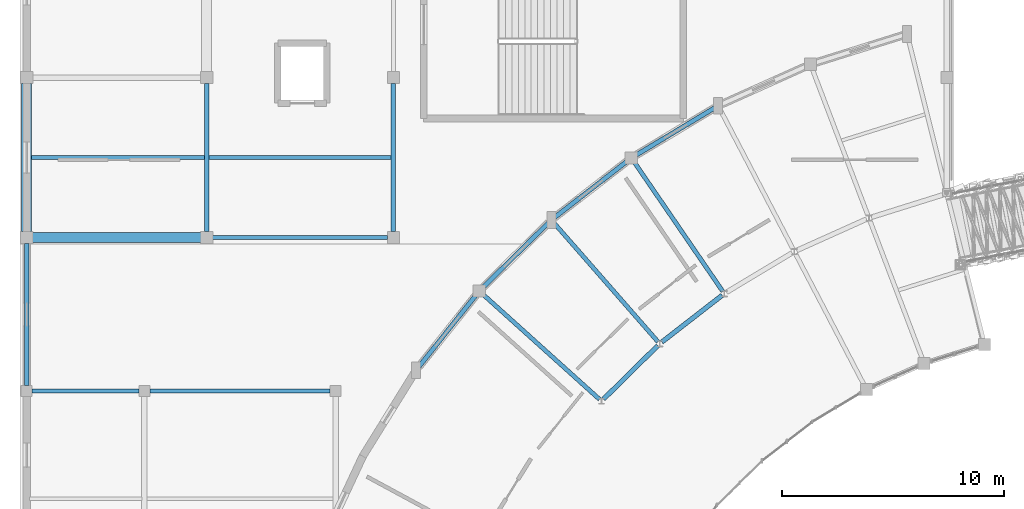
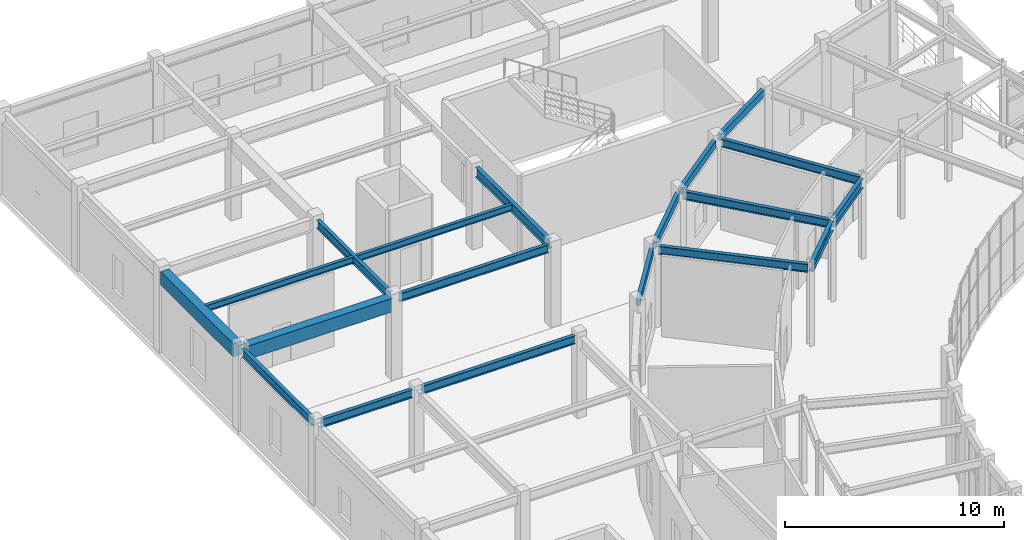
# One storey, part 45 of 144: 19 beams.
"""IFC4 building model written with IfcOpenShell, lengths in metres."""

from ifc_helpers import new_model, si_unit, direction, frame, origin, origin_2d, place, context, subcontext, project, spatial, rectangle, hollow_rectangle, i_section, extrude, material, material_profile, profile_set, type_object, element, save


model = new_model("IFC4")

# Units and contexts
model_context = context("Model", 3, precision=1e-05, world=origin(), true_north=direction((0.0, 1.0)))
body_context = subcontext(model_context, "Body", "Model", "MODEL_VIEW")
ifc_project = project(units=[si_unit("LENGTHUNIT", "METRE"), si_unit("AREAUNIT", "SQUARE_METRE"), si_unit("VOLUMEUNIT", "CUBIC_METRE"), si_unit("PLANEANGLEUNIT", "RADIAN"), si_unit("MASSUNIT", "GRAM", prefix="KILO")], contexts=[model_context])

# Site, building, storey
site_placement = place(None, origin())
site = spatial("IfcSite", under=ifc_project, at=site_placement, CompositionType="ELEMENT")
building_placement = place(site_placement, origin())
building = spatial("IfcBuilding", under=site, at=building_placement, Name="Cinderbank Siding Concert Hall", CompositionType="ELEMENT")
storey_placement = place(building_placement, frame((0.0, 0.0, 5.39990234375)))
storey = spatial("IfcBuildingStorey", under=building, at=storey_placement, Name="L02", CompositionType="ELEMENT", Elevation=5.39990234375)

# Beams
ifc_material_1 = material(Name="Reinforced concrete AS 3600 N50 (50 MPa)", Category="concrete")
ifc_material_profile_1 = material_profile(ifc_material_1, rectangle(XDim=0.449951171875, YDim=0.75, at=origin_2d()), Name="RC-BM-450x750", Category="LoadBearing")
ifc_profile_set_1 = profile_set([ifc_material_profile_1], Name="Reinforced concrete AS 3600 N50 (50 MPa)")
beam_type_1 = type_object("IfcBeamType", Name="BM-RC750 RC-BM-450x750", PredefinedType="BEAM", material=ifc_profile_set_1)
beam_1_placement = place(storey_placement, frame((7.366943359375, 96.10009765625, 4.177001953125), z_axis=(1.0, 0.0, 0.0), x_axis=(0.0, 1.0, 0.0)))
element("IfcBeam", 1, at=beam_1_placement, inside=storey, type_object=beam_type_1, Name="L02 Beam BM-RC750 #1569", PredefinedType="BEAM", context=body_context, shape_type="SweptSolid", body=[
    extrude(rectangle(XDim=0.449951171875, YDim=0.75, at=origin_2d()), origin(), (0.0, 0.0, 1.0), 7.566162109375),
])
beam_2_placement = place(storey_placement, frame((7.10009765625, 96.366943359375, 4.177001953125), z_axis=(0.0, 1.0, 0.0), x_axis=(-1.0, 0.0, 0.0)))
element("IfcBeam", 2, at=beam_2_placement, inside=storey, type_object=beam_type_1, Name="L02 Beam BM-RC750 #1570", PredefinedType="BEAM", context=body_context, shape_type="SweptSolid", body=[
    extrude(rectangle(XDim=0.449951171875, YDim=0.75, at=origin_2d()), origin(), (0.0, 0.0, 1.0), 6.666015625),
])
ifc_material_2 = material(Name="Structural steel AS/NZS 3679.1 Grade 350 (340 MPa)", Category="steel")
ifc_material_profile_2 = material_profile(ifc_material_2, i_section(OverallWidth=0.18994140625, OverallDepth=0.45751953125, WebThickness=0.009033203125, FlangeThickness=0.014404296875, at=origin_2d()), Name="460UB74.6", Category="LoadBearing")
ifc_profile_set_2 = profile_set([ifc_material_profile_2], Name="Structural steel AS/NZS 3679.1 Grade 350 (340 MPa)")
beam_type_2 = type_object("IfcBeamType", Name="BM-UB460 460UB74.6", PredefinedType="BEAM", material=ifc_profile_set_2)
beam_3_placement = place(storey_placement, frame((38.418212890625, 93.677490234375, 4.29345703125), z_axis=(-0.564964678177, 0.825115090404, 0.0), x_axis=(-0.825115090404, -0.564964678177, 0.0)))
element("IfcBeam", 3, at=beam_3_placement, inside=storey, type_object=beam_type_2, Name="L02 Beam BM-UB460 #954", PredefinedType="BEAM", context=body_context, shape_type="SweptSolid", body=[
    extrude(i_section(OverallWidth=0.18994140625, OverallDepth=0.45751953125, WebThickness=0.009033203125, FlangeThickness=0.014404296875, at=origin_2d()), origin(), (0.0, 0.0, 1.0), 7.01318359375),
])
beam_4_placement = place(storey_placement, frame((35.501708984375, 91.415283203125, 4.29345703125), z_axis=(-0.658709419327, 0.752397435462, 0.0), x_axis=(-0.752397435462, -0.658709419327, 0.0)))
element("IfcBeam", 4, at=beam_4_placement, inside=storey, type_object=beam_type_2, Name="L02 Beam BM-UB460 #957", PredefinedType="BEAM", context=body_context, shape_type="SweptSolid", body=[
    extrude(i_section(OverallWidth=0.18994140625, OverallDepth=0.45751953125, WebThickness=0.009033203125, FlangeThickness=0.014404296875, at=origin_2d()), origin(), (0.0, 0.0, 1.0), 7.088134765625),
])
beam_5_placement = place(storey_placement, frame((32.873291015625, 88.8232421875, 4.29345703125), z_axis=(-0.74314352947, 0.669132045718, 0.0), x_axis=(-0.669132045718, -0.74314352947, 0.0)))
element("IfcBeam", 5, at=beam_5_placement, inside=storey, type_object=beam_type_2, Name="L02 Beam BM-UB460 #960", PredefinedType="BEAM", context=body_context, shape_type="SweptSolid", body=[
    extrude(i_section(OverallWidth=0.18994140625, OverallDepth=0.45751953125, WebThickness=0.009033203125, FlangeThickness=0.014404296875, at=origin_2d()), origin(), (0.0, 0.0, 1.0), 7.012939453125),
])
beam_6_placement = place(storey_placement, frame((15.467041015625, 96.10009765625, 4.323486328125), z_axis=(1.0, 0.0, 0.0), x_axis=(0.0, 1.0, 0.0)))
element("IfcBeam", 6, at=beam_6_placement, inside=storey, type_object=beam_type_2, Name="L02 Beam BM-UB460 #1576", PredefinedType="BEAM", context=body_context, shape_type="SweptSolid", body=[
    extrude(i_section(OverallWidth=0.18994140625, OverallDepth=0.45751953125, WebThickness=0.009033203125, FlangeThickness=0.014404296875, at=origin_2d()), origin(), (0.0, 0.0, 1.0), 7.865966796875),
])
beam_7_placement = place(storey_placement, frame((15.199951171875, 96.366943359375, 4.323486328125), z_axis=(0.0, 1.0, 0.0), x_axis=(-1.0, 0.0, 0.0)))
element("IfcBeam", 7, at=beam_7_placement, inside=storey, type_object=beam_type_2, Name="L02 Beam BM-UB460 #1577", PredefinedType="BEAM", context=body_context, shape_type="SweptSolid", body=[
    extrude(i_section(OverallWidth=0.18994140625, OverallDepth=0.45751953125, WebThickness=0.009033203125, FlangeThickness=0.014404296875, at=origin_2d()), origin(), (0.0, 0.0, 1.0), 6.666015625),
])
beam_8_placement = place(storey_placement, frame((7.342041015625, 89.199951171875, 4.323486328125), z_axis=(1.0, 0.0, 0.0), x_axis=(0.0, 1.0, 0.0)))
element("IfcBeam", 8, at=beam_8_placement, inside=storey, type_object=beam_type_2, Name="L02 Beam BM-UB460 #1641", PredefinedType="BEAM", context=body_context, shape_type="SweptSolid", body=[
    extrude(i_section(OverallWidth=0.18994140625, OverallDepth=0.45751953125, WebThickness=0.009033203125, FlangeThickness=0.014404296875, at=origin_2d()), origin(), (0.0, 0.0, 1.0), 4.81591796875),
])
beam_9_placement = place(storey_placement, frame((7.10009765625, 89.44189453125, 4.323486328125), z_axis=(0.0, 1.0, 0.0), x_axis=(-1.0, 0.0, 0.0)))
element("IfcBeam", 9, at=beam_9_placement, inside=storey, type_object=beam_type_2, Name="L02 Beam BM-UB460 #1642", PredefinedType="BEAM", context=body_context, shape_type="SweptSolid", body=[
    extrude(i_section(OverallWidth=0.18994140625, OverallDepth=0.45751953125, WebThickness=0.009033203125, FlangeThickness=0.014404296875, at=origin_2d()), origin(), (0.0, 0.0, 1.0), 6.39111328125),
])
beam_10_placement = place(storey_placement, frame((12.64208984375, 89.199951171875, 4.323486328125), z_axis=(1.0, 0.0, 0.0), x_axis=(0.0, 1.0, 0.0)))
element("IfcBeam", 10, at=beam_10_placement, inside=storey, type_object=beam_type_2, Name="L02 Beam BM-UB460 #1650", PredefinedType="BEAM", context=body_context, shape_type="SweptSolid", body=[
    extrude(i_section(OverallWidth=0.18994140625, OverallDepth=0.45751953125, WebThickness=0.009033203125, FlangeThickness=0.014404296875, at=origin_2d()), origin(), (0.0, 0.0, 1.0), 8.115966796875),
])
ifc_material_profile_3 = material_profile(ifc_material_2, i_section(OverallWidth=0.208984375, OverallDepth=0.5283203125, WebThickness=0.009521484375, FlangeThickness=0.01318359375, at=origin_2d()), Name="530UB82.0", Category="LoadBearing")
ifc_profile_set_3 = profile_set([ifc_material_profile_3], Name="Structural steel AS/NZS 3679.1 Grade 350 (340 MPa)")
beam_type_3 = type_object("IfcBeamType", Name="BM-UB530 530UB82.0", PredefinedType="BEAM", material=ifc_profile_set_3)
beam_11_placement = place(storey_placement, frame((38.39111328125, 93.5048828125, 4.258056640625), z_axis=(-0.790177677978, -0.612877832218, 0.0), x_axis=(0.612877832218, -0.790177677978, 0.0)))
element("IfcBeam", 11, at=beam_11_placement, inside=storey, type_object=beam_type_3, Name="L02 Beam BM-UB530 #955", PredefinedType="BEAM", context=body_context, shape_type="SweptSolid", body=[
    extrude(i_section(OverallWidth=0.208984375, OverallDepth=0.5283203125, WebThickness=0.009521484375, FlangeThickness=0.01318359375, at=origin_2d()), origin(), (0.0, 0.0, 1.0), 3.43701171875),
])
beam_12_placement = place(storey_placement, frame((35.4951171875, 91.240478515625, 4.258056640625), z_axis=(-0.712061795805, -0.702116798656, 0.0), x_axis=(0.702116798656, -0.712061795805, 0.0)))
element("IfcBeam", 12, at=beam_12_placement, inside=storey, type_object=beam_type_3, Name="L02 Beam BM-UB530 #958", PredefinedType="BEAM", context=body_context, shape_type="SweptSolid", body=[
    extrude(i_section(OverallWidth=0.208984375, OverallDepth=0.5283203125, WebThickness=0.009521484375, FlangeThickness=0.01318359375, at=origin_2d()), origin(), (0.0, 0.0, 1.0), 3.436767578125),
])
beam_13_placement = place(storey_placement, frame((23.60009765625, 96.366943359375, 4.2880859375), z_axis=(0.0, 1.0, 0.0), x_axis=(-1.0, 0.0, 0.0)))
element("IfcBeam", 13, at=beam_13_placement, inside=storey, type_object=beam_type_3, Name="L02 Beam BM-UB530 #1582", PredefinedType="BEAM", context=body_context, shape_type="SweptSolid", body=[
    extrude(i_section(OverallWidth=0.208984375, OverallDepth=0.5283203125, WebThickness=0.009521484375, FlangeThickness=0.01318359375, at=origin_2d()), origin(), (0.0, 0.0, 1.0), 6.666015625),
])
ifc_material_profile_4 = material_profile(ifc_material_2, i_section(OverallWidth=0.1708984375, OverallDepth=0.35205078125, WebThickness=0.0068359375, FlangeThickness=0.009765625, at=origin_2d()), Name="360UB44.7", Category="LoadBearing")
ifc_profile_set_4 = profile_set([ifc_material_profile_4], Name="Structural steel AS/NZS 3679.1 Grade 350 (340 MPa)")
beam_type_4 = type_object("IfcBeamType", Name="JS-UB360 360UB44.7", PredefinedType="JOIST", material=ifc_profile_set_4)
beam_14_placement = place(storey_placement, frame((7.31689453125, 99.699951171875, 4.3759765625), z_axis=(1.0, 0.0, 0.0), x_axis=(0.0, 1.0, 0.0)))
element("IfcBeam", 14, at=beam_14_placement, inside=storey, type_object=beam_type_4, Name="L02 Beam JS-UB360 #1678", PredefinedType="JOIST", context=body_context, shape_type="SweptSolid", body=[
    extrude(i_section(OverallWidth=0.1708984375, OverallDepth=0.35205078125, WebThickness=0.0068359375, FlangeThickness=0.009765625, at=origin_2d()), origin(), (0.0, 0.0, 1.0), 7.796142578125),
])
beam_15_placement = place(storey_placement, frame((15.287109375, 99.699951171875, 4.3759765625), z_axis=(1.0, 0.0, 0.0), x_axis=(0.0, 1.0, 0.0)))
element("IfcBeam", 15, at=beam_15_placement, inside=storey, type_object=beam_type_4, Name="L02 Beam JS-UB360 #1681", PredefinedType="JOIST", context=body_context, shape_type="SweptSolid", body=[
    extrude(i_section(OverallWidth=0.1708984375, OverallDepth=0.35205078125, WebThickness=0.0068359375, FlangeThickness=0.009765625, at=origin_2d()), origin(), (0.0, 0.0, 1.0), 8.21630859375),
])
ifc_material_3 = material(Name="Structural steel hollow section AS/NZS 1163 Grade C350L0 (350 MPa)", Category="steel")
ifc_material_profile_5 = material_profile(ifc_material_3, hollow_rectangle(XDim=0.199951171875, YDim=0.39990234375, WallThickness=0.012451171875, at=origin_2d()), Name="400x200x12.5RHS", Category="LoadBearing")
ifc_profile_set_5 = profile_set([ifc_material_profile_5], Name="Structural steel hollow section AS/NZS 1163 Grade C350L0 (350 MPa)")
beam_type_5 = type_object("IfcBeamType", Name="SP-RHS400 400x200x12.5RHS", PredefinedType="SPANDREL", material=ifc_profile_set_5)
for number, where, z_axis, x_axis, name in (
    (16, (38.044921875, 101.931396484375, 4.322021484375), (-0.857177187434, -0.515021620267, 0.0), (0.515021620267, -0.857177187434, 0.0), "L02 Beam SP-RHS400 #953"),
    (17, (34.09423828125, 99.520751953125, 4.322021484375), (-0.790166778688, -0.612891884314, 0.0), (0.612891884314, -0.790166778688, 0.0), "L02 Beam SP-RHS400 #956"),
    (18, (30.569580078125, 96.7578125, 4.322021484375), (-0.712037071466, -0.702141872315, 0.0), (0.702141872315, -0.712037071466, 0.0), "L02 Beam SP-RHS400 #959"),
):
    element("IfcBeam", number, at=place(storey_placement, frame(where, z_axis=z_axis, x_axis=x_axis)), inside=storey, type_object=beam_type_5, Name=name, PredefinedType="SPANDREL", context=body_context, shape_type="SweptSolid", body=[
        extrude(hollow_rectangle(XDim=0.199951171875, YDim=0.39990234375, WallThickness=0.012451171875, at=origin_2d()), origin(), (0.0, 0.0, 1.0), 4.095703125),
    ])
beam_16_placement = place(storey_placement, frame((27.296630859375, 93.48583984375, 4.322021484375), z_axis=(-0.623895052122, -0.781508134275, 0.0), x_axis=(0.781508134275, -0.623895052122, 0.0)))
element("IfcBeam", 19, at=beam_16_placement, inside=storey, type_object=beam_type_5, Name="L02 Beam SP-RHS400 #961", PredefinedType="SPANDREL", context=body_context, shape_type="SweptSolid", body=[
    extrude(hollow_rectangle(XDim=0.199951171875, YDim=0.39990234375, WallThickness=0.012451171875, at=origin_2d()), origin(), (0.0, 0.0, 1.0), 4.095458984375),
])

save(model, "model.ifc")
